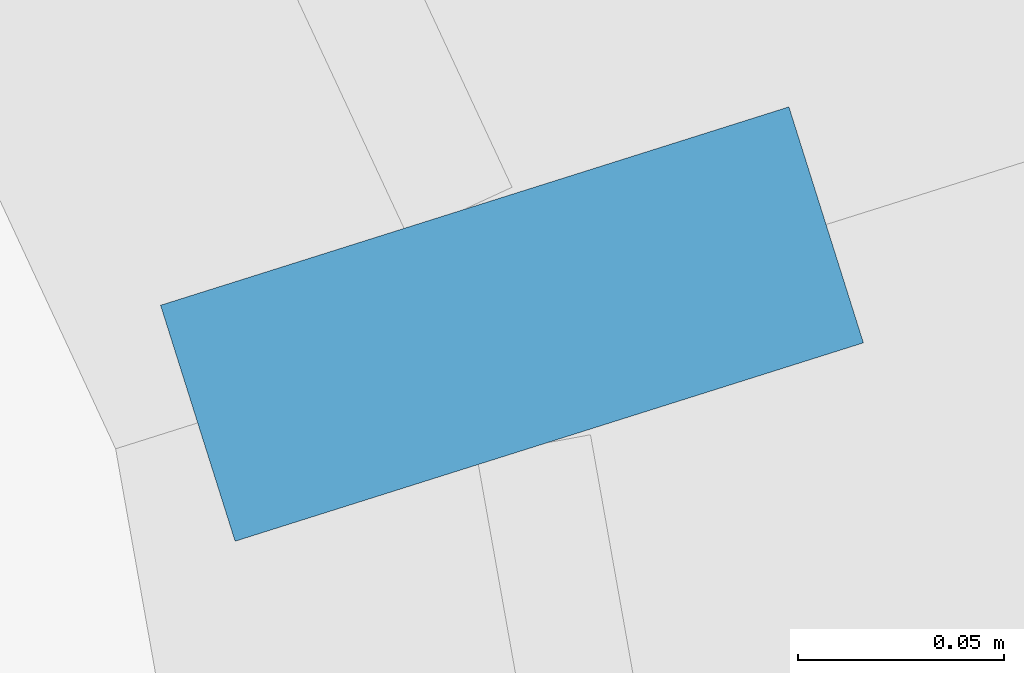
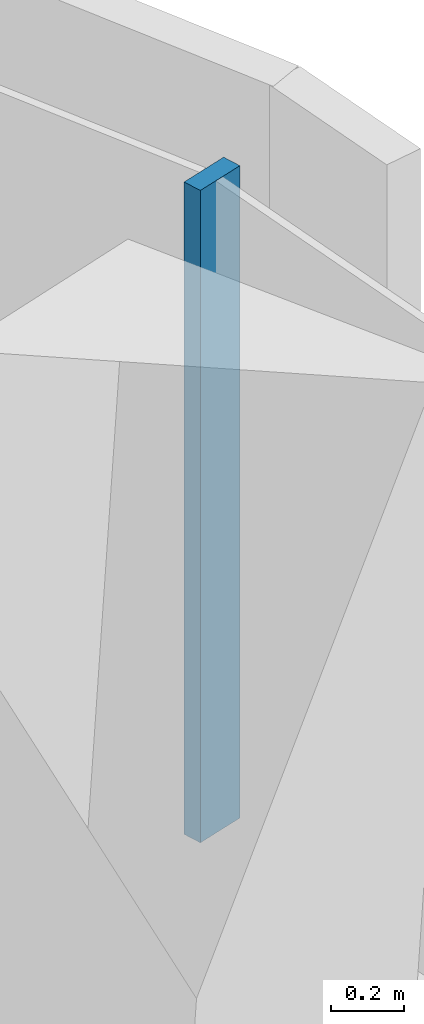
# One storey, part 10 of 36: 1 member, 1 element without a shape of its own.
"""IFC4 building model written with IfcOpenShell, lengths in metres."""

from ifc_helpers import new_model, si_unit, direction, frame, origin, origin_2d, place, context, subcontext, project, spatial, rectangle, extrude, material, layer, layer_set, material_profile, profile_set, type_object, element, aggregate, save


model = new_model("IFC4")

# Units and contexts
model_context = context("Model", 3, precision=1e-05, world=origin(), true_north=direction((0.0, 1.0)))
body_context = subcontext(model_context, "Body", "Model", "MODEL_VIEW")
ifc_project = project(units=[si_unit("LENGTHUNIT", "METRE"), si_unit("AREAUNIT", "SQUARE_METRE"), si_unit("VOLUMEUNIT", "CUBIC_METRE"), si_unit("PLANEANGLEUNIT", "RADIAN"), si_unit("MASSUNIT", "GRAM", prefix="KILO")], contexts=[model_context])

# Site, building, storey
site_placement = place(None, origin())
site = spatial("IfcSite", under=ifc_project, at=site_placement, CompositionType="ELEMENT")
building_placement = place(site_placement, origin())
building = spatial("IfcBuilding", under=site, at=building_placement, Name="Tamarind Cross Interchange Tower", CompositionType="ELEMENT")
storey_placement = place(building_placement, frame((0.0, 0.0, 124.75)))
storey = spatial("IfcBuildingStorey", under=building, at=storey_placement, Name="L30", CompositionType="ELEMENT", Elevation=124.75)

# Curtain wall, member
ifc_material = material(Name="Aluminium 6063-T6", Category="aluminium")
ifc_layer = layer(ifc_material, 0.159912109375)
ifc_layer_set = layer_set([ifc_layer], Name="Aluminium 6063-T6")
curtain_wall_type = type_object("IfcCurtainWallType", Name="Office curtain wall, 9.0 m bays", PredefinedType="NOTDEFINED", material=ifc_layer_set)
curtain_wall_placement = place(storey_placement, origin())
curtain_wall = element("IfcCurtainWall", 1, at=curtain_wall_placement, inside=storey, type_object=curtain_wall_type, Name="CWS-L30-05", PredefinedType="NOTDEFINED")
ifc_material_profile = material_profile(ifc_material, rectangle(XDim=0.06005859375, YDim=0.159912109375, at=origin_2d()), Name="Mullion CW1")
ifc_profile_set = profile_set([ifc_material_profile], Name="Aluminium 6063-T6")
member_type = type_object("IfcMemberType", Name="Mullion CW1", PredefinedType="MULLION", material=ifc_profile_set)
member_placement = place(storey_placement, frame((16.884521484375, -42.040283203125, 1.39990234375), z_axis=(0.0, 0.0, 1.0), x_axis=(-0.301097686581, 0.953593300698, 0.0)))
member = element("IfcMember", 2, at=member_placement, type_object=member_type, Name="CWM-L30-05-00", PredefinedType="MULLION", context=body_context, shape_type="SweptSolid", body=[
    extrude(rectangle(XDim=0.06005859375, YDim=0.159912109375, at=origin_2d()), origin(), (0.0, 0.0, 1.0), 2.170166015625),
])
aggregate(curtain_wall, [member])

save(model, "model.ifc")
